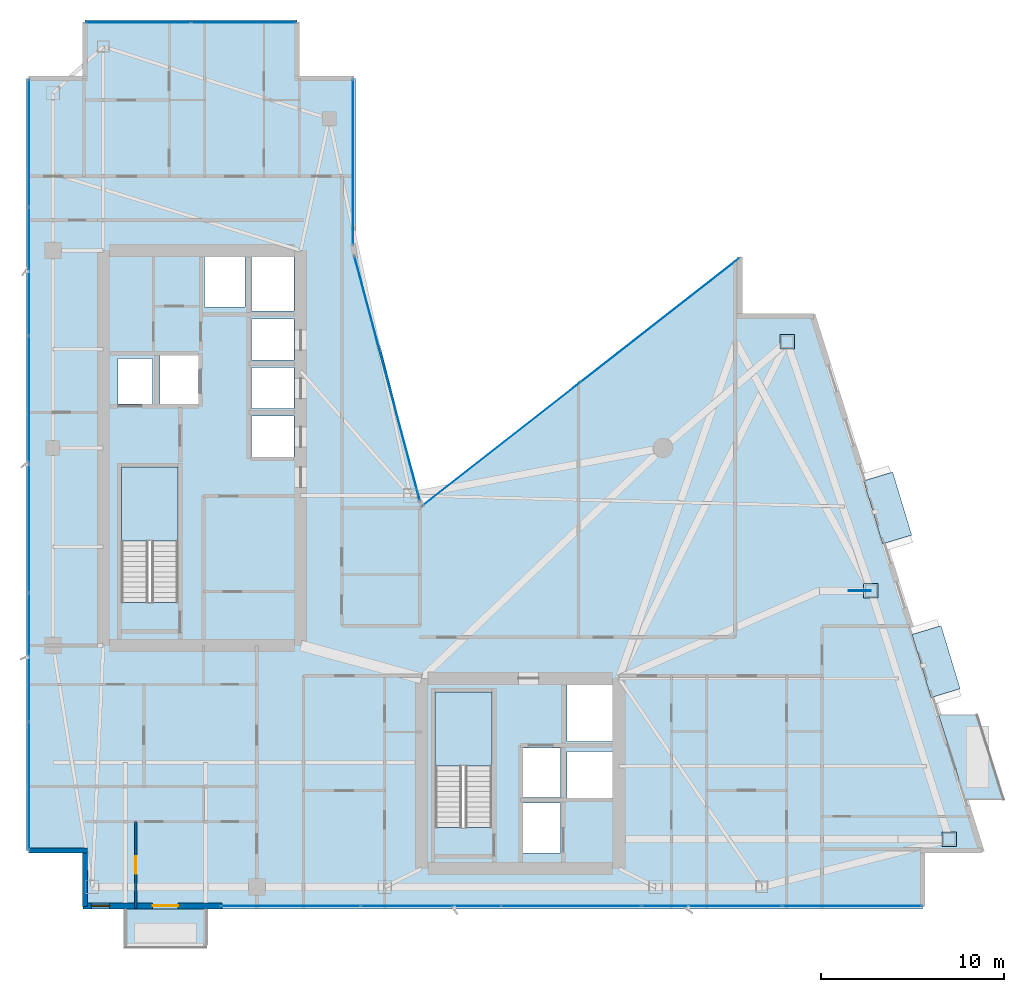
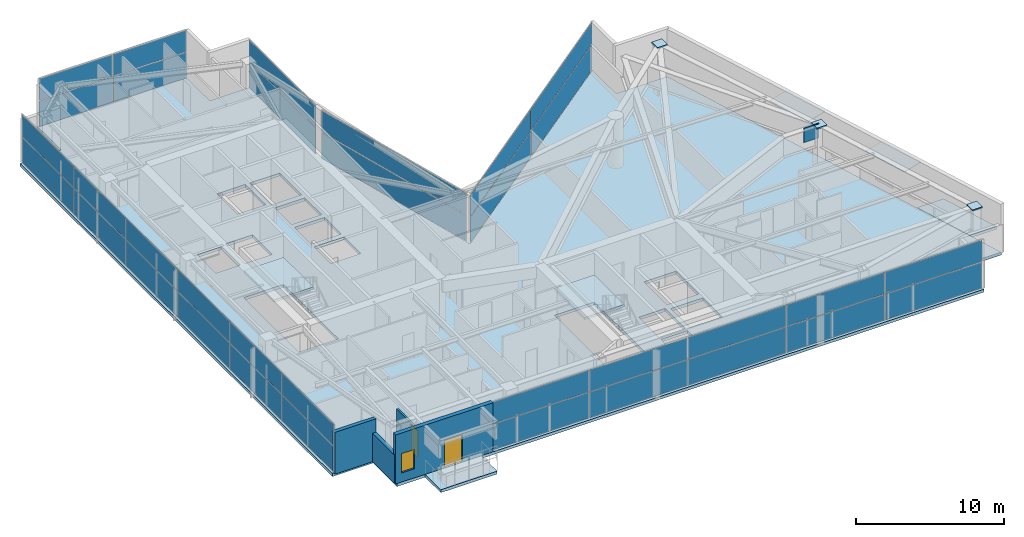
# One storey, part 22 of 29: 40 plates, 5 slabs, 4 walls, 2 doors, 1 window, 3 openings, 8 elements without a shape of their own.
"""IFC4 building model written with IfcOpenShell, lengths in metres."""

from ifc_helpers import new_model, si_unit, direction, frame, frame_2d, origin, origin_2d, place, context, subcontext, project, spatial, polyline, rectangle, outline, extrude, material, layer, layer_set, type_object, element, fill, aggregate, save


model = new_model("IFC4")

# Units and contexts
model_context = context("Model", 3, precision=1e-05, world=origin(), true_north=direction((0.0, 1.0)))
body_context = subcontext(model_context, "Body", "Model", "MODEL_VIEW")
ifc_project = project(units=[si_unit("LENGTHUNIT", "METRE"), si_unit("AREAUNIT", "SQUARE_METRE"), si_unit("VOLUMEUNIT", "CUBIC_METRE"), si_unit("PLANEANGLEUNIT", "RADIAN"), si_unit("MASSUNIT", "GRAM", prefix="KILO")], contexts=[model_context])

# Site, building, storey
site_placement = place(None, origin())
site = spatial("IfcSite", under=ifc_project, at=site_placement, CompositionType="ELEMENT")
building_placement = place(site_placement, origin())
building = spatial("IfcBuilding", under=site, at=building_placement, Name="Calvorn Quay Hotel", CompositionType="ELEMENT")
storey_placement = place(building_placement, frame((0.0, 0.0, 214.800048828125)))
storey = spatial("IfcBuildingStorey", under=building, at=storey_placement, Name="L53", CompositionType="ELEMENT", Elevation=214.800048828125)

# Curtain wall, plates
ifc_material_1 = material(Name="Champagne Bronze Anodised Aluminium and Low-E Glass", Category="aluminium")
ifc_layer_1 = layer(ifc_material_1, 0.219970703125)
ifc_layer_set_1 = layer_set([ifc_layer_1], Name="CW-SYS-Z3")
curtain_wall_type = type_object("IfcCurtainWallType", Name="CW-SYS-Z3", PredefinedType="NOTDEFINED", material=ifc_layer_set_1)
curtain_wall_1_placement = place(storey_placement, origin())
curtain_wall_1 = element("IfcCurtainWall", 1, at=curtain_wall_1_placement, inside=storey, type_object=curtain_wall_type, Name="Tower West Curtain Wall (L53)", PredefinedType="NOTDEFINED")
ifc_material_2 = material(Name="Low-E Laminated Double Glazing", Category="glass")
ifc_layer_2 = layer(ifc_material_2, 0.028076171875)
ifc_layer_set_2 = layer_set([ifc_layer_2], Name="CW-SYS-Z3-PAN")
plate_type_1 = type_object("IfcPlateType", Name="CW-SYS-Z3-PAN", PredefinedType="CURTAIN_PANEL", material=ifc_layer_set_2)
plate_1_placement = place(storey_placement, frame((0.14990234375, 9.131591796875, 0.06005859375), z_axis=(0.0, 0.0, 1.0), x_axis=(0.0, 1.0, 0.0)))
plate_1 = element("IfcPlate", 2, at=plate_1_placement, type_object=plate_type_1, Name="CW-L53-W panel 1.1", PredefinedType="CURTAIN_PANEL", context=body_context, shape_type="SweptSolid", body=[
    extrude(rectangle(XDim=6.943359375, YDim=0.028076171875, at=origin_2d()), origin(), (0.0, 0.0, 1.0), 2.110107421875),
])
plate_2_placement = place(storey_placement, frame((0.14990234375, 9.131591796875, 2.22998046875), z_axis=(0.0, 0.0, 1.0), x_axis=(0.0, 1.0, 0.0)))
plate_2 = element("IfcPlate", 3, at=plate_2_placement, type_object=plate_type_1, Name="CW-L53-W panel 1.2", PredefinedType="CURTAIN_PANEL", context=body_context, shape_type="SweptSolid", body=[
    extrude(rectangle(XDim=6.943359375, YDim=0.028076171875, at=origin_2d()), origin(), (0.0, 0.0, 1.0), 1.760009765625),
])
plate_3_placement = place(storey_placement, frame((0.14990234375, 16.14990234375, 0.06005859375), z_axis=(0.0, 0.0, 1.0), x_axis=(0.0, 1.0, 0.0)))
plate_3 = element("IfcPlate", 4, at=plate_3_placement, type_object=plate_type_1, Name="CW-L53-W panel 2.1", PredefinedType="CURTAIN_PANEL", context=body_context, shape_type="SweptSolid", body=[
    extrude(rectangle(XDim=6.973388671875, YDim=0.028076171875, at=origin_2d()), origin(), (0.0, 0.0, 1.0), 2.110107421875),
])
plate_4_placement = place(storey_placement, frame((0.14990234375, 16.14990234375, 2.22998046875), z_axis=(0.0, 0.0, 1.0), x_axis=(0.0, 1.0, 0.0)))
plate_4 = element("IfcPlate", 5, at=plate_4_placement, type_object=plate_type_1, Name="CW-L53-W panel 2.2", PredefinedType="CURTAIN_PANEL", context=body_context, shape_type="SweptSolid", body=[
    extrude(rectangle(XDim=6.973388671875, YDim=0.028076171875, at=origin_2d()), origin(), (0.0, 0.0, 1.0), 1.760009765625),
])
plate_5_placement = place(storey_placement, frame((0.14990234375, 23.183349609375, 0.06005859375), z_axis=(0.0, 0.0, 1.0), x_axis=(0.0, 1.0, 0.0)))
plate_5 = element("IfcPlate", 6, at=plate_5_placement, type_object=plate_type_1, Name="CW-L53-W panel 3.1", PredefinedType="CURTAIN_PANEL", context=body_context, shape_type="SweptSolid", body=[
    extrude(rectangle(XDim=6.973388671875, YDim=0.028076171875, at=origin_2d()), origin(), (0.0, 0.0, 1.0), 2.110107421875),
])
plate_6_placement = place(storey_placement, frame((0.14990234375, 23.183349609375, 2.22998046875), z_axis=(0.0, 0.0, 1.0), x_axis=(0.0, 1.0, 0.0)))
plate_6 = element("IfcPlate", 7, at=plate_6_placement, type_object=plate_type_1, Name="CW-L53-W panel 3.2", PredefinedType="CURTAIN_PANEL", context=body_context, shape_type="SweptSolid", body=[
    extrude(rectangle(XDim=6.973388671875, YDim=0.028076171875, at=origin_2d()), origin(), (0.0, 0.0, 1.0), 1.760009765625),
])
plate_7_placement = place(storey_placement, frame((0.14990234375, 30.216552734375, 0.06005859375), z_axis=(0.0, 0.0, 1.0), x_axis=(0.0, 1.0, 0.0)))
plate_7 = element("IfcPlate", 8, at=plate_7_placement, type_object=plate_type_1, Name="CW-L53-W panel 4.1", PredefinedType="CURTAIN_PANEL", context=body_context, shape_type="SweptSolid", body=[
    extrude(rectangle(XDim=6.973388671875, YDim=0.028076171875, at=origin_2d()), origin(), (0.0, 0.0, 1.0), 2.110107421875),
])
plate_8_placement = place(storey_placement, frame((0.14990234375, 30.216552734375, 2.22998046875), z_axis=(0.0, 0.0, 1.0), x_axis=(0.0, 1.0, 0.0)))
plate_8 = element("IfcPlate", 9, at=plate_8_placement, type_object=plate_type_1, Name="CW-L53-W panel 4.2", PredefinedType="CURTAIN_PANEL", context=body_context, shape_type="SweptSolid", body=[
    extrude(rectangle(XDim=6.973388671875, YDim=0.028076171875, at=origin_2d()), origin(), (0.0, 0.0, 1.0), 1.760009765625),
])
plate_9_placement = place(storey_placement, frame((0.14990234375, 37.25, 0.06005859375), z_axis=(0.0, 0.0, 1.0), x_axis=(0.0, 1.0, 0.0)))
plate_9 = element("IfcPlate", 10, at=plate_9_placement, type_object=plate_type_1, Name="CW-L53-W panel 5.1", PredefinedType="CURTAIN_PANEL", context=body_context, shape_type="SweptSolid", body=[
    extrude(rectangle(XDim=6.973388671875, YDim=0.028076171875, at=origin_2d()), origin(), (0.0, 0.0, 1.0), 2.110107421875),
])
plate_10_placement = place(storey_placement, frame((0.14990234375, 37.25, 2.22998046875), z_axis=(0.0, 0.0, 1.0), x_axis=(0.0, 1.0, 0.0)))
plate_10 = element("IfcPlate", 11, at=plate_10_placement, type_object=plate_type_1, Name="CW-L53-W panel 5.2", PredefinedType="CURTAIN_PANEL", context=body_context, shape_type="SweptSolid", body=[
    extrude(rectangle(XDim=6.973388671875, YDim=0.028076171875, at=origin_2d()), origin(), (0.0, 0.0, 1.0), 1.760009765625),
])
plate_11_placement = place(storey_placement, frame((0.14990234375, 44.268310546875, 0.06005859375), z_axis=(0.0, 0.0, 1.0), x_axis=(0.0, 1.0, 0.0)))
plate_11 = element("IfcPlate", 12, at=plate_11_placement, type_object=plate_type_1, Name="CW-L53-W panel 6.1", PredefinedType="CURTAIN_PANEL", context=body_context, shape_type="SweptSolid", body=[
    extrude(rectangle(XDim=6.943359375, YDim=0.028076171875, at=origin_2d()), origin(), (0.0, 0.0, 1.0), 2.110107421875),
])
plate_12_placement = place(storey_placement, frame((0.14990234375, 44.268310546875, 2.22998046875), z_axis=(0.0, 0.0, 1.0), x_axis=(0.0, 1.0, 0.0)))
plate_12 = element("IfcPlate", 13, at=plate_12_placement, type_object=plate_type_1, Name="CW-L53-W panel 6.2", PredefinedType="CURTAIN_PANEL", context=body_context, shape_type="SweptSolid", body=[
    extrude(rectangle(XDim=6.943359375, YDim=0.028076171875, at=origin_2d()), origin(), (0.0, 0.0, 1.0), 1.760009765625),
])
aggregate(curtain_wall_1, [plate_1, plate_2, plate_3, plate_4, plate_5, plate_6, plate_7, plate_8, plate_9, plate_10, plate_11, plate_12])

curtain_wall_2_placement = place(storey_placement, origin())
curtain_wall_2 = element("IfcCurtainWall", 14, at=curtain_wall_2_placement, inside=storey, type_object=curtain_wall_type, Name="Tower South Waterfront Curtain Wall (L53)", PredefinedType="NOTDEFINED")
plate_13_placement = place(storey_placement, frame((14.455078125, 2.550048828125, 0.06005859375), z_axis=(0.0, 0.0, 1.0), x_axis=(1.0, 0.0, 0.0)))
plate_13 = element("IfcPlate", 15, at=plate_13_placement, type_object=plate_type_1, Name="CW-L53-S panel 1.1", PredefinedType="CURTAIN_PANEL", context=body_context, shape_type="SweptSolid", body=[
    extrude(rectangle(XDim=7.590087890625, YDim=0.028076171875, at=origin_2d()), origin(), (0.0, 0.0, 1.0), 2.110107421875),
])
plate_14_placement = place(storey_placement, frame((14.455078125, 2.550048828125, 2.22998046875), z_axis=(0.0, 0.0, 1.0), x_axis=(1.0, 0.0, 0.0)))
plate_14 = element("IfcPlate", 16, at=plate_14_placement, type_object=plate_type_1, Name="CW-L53-S panel 1.2", PredefinedType="CURTAIN_PANEL", context=body_context, shape_type="SweptSolid", body=[
    extrude(rectangle(XDim=7.590087890625, YDim=0.028076171875, at=origin_2d()), origin(), (0.0, 0.0, 1.0), 1.760009765625),
])
plate_15_placement = place(storey_placement, frame((22.1201171875, 2.550048828125, 0.06005859375), z_axis=(0.0, 0.0, 1.0), x_axis=(1.0, 0.0, 0.0)))
plate_15 = element("IfcPlate", 17, at=plate_15_placement, type_object=plate_type_1, Name="CW-L53-S panel 2.1", PredefinedType="CURTAIN_PANEL", context=body_context, shape_type="SweptSolid", body=[
    extrude(rectangle(XDim=7.6201171875, YDim=0.028076171875, at=origin_2d()), origin(), (0.0, 0.0, 1.0), 2.110107421875),
])
plate_16_placement = place(storey_placement, frame((22.1201171875, 2.550048828125, 2.22998046875), z_axis=(0.0, 0.0, 1.0), x_axis=(1.0, 0.0, 0.0)))
plate_16 = element("IfcPlate", 18, at=plate_16_placement, type_object=plate_type_1, Name="CW-L53-S panel 2.2", PredefinedType="CURTAIN_PANEL", context=body_context, shape_type="SweptSolid", body=[
    extrude(rectangle(XDim=7.6201171875, YDim=0.028076171875, at=origin_2d()), origin(), (0.0, 0.0, 1.0), 1.760009765625),
])
plate_17_placement = place(storey_placement, frame((29.800048828125, 2.550048828125, 0.06005859375), z_axis=(0.0, 0.0, 1.0), x_axis=(1.0, 0.0, 0.0)))
plate_17 = element("IfcPlate", 19, at=plate_17_placement, type_object=plate_type_1, Name="CW-L53-S panel 3.1", PredefinedType="CURTAIN_PANEL", context=body_context, shape_type="SweptSolid", body=[
    extrude(rectangle(XDim=7.6201171875, YDim=0.028076171875, at=origin_2d()), origin(), (0.0, 0.0, 1.0), 2.110107421875),
])
plate_18_placement = place(storey_placement, frame((29.800048828125, 2.550048828125, 2.22998046875), z_axis=(0.0, 0.0, 1.0), x_axis=(1.0, 0.0, 0.0)))
plate_18 = element("IfcPlate", 20, at=plate_18_placement, type_object=plate_type_1, Name="CW-L53-S panel 3.2", PredefinedType="CURTAIN_PANEL", context=body_context, shape_type="SweptSolid", body=[
    extrude(rectangle(XDim=7.6201171875, YDim=0.028076171875, at=origin_2d()), origin(), (0.0, 0.0, 1.0), 1.760009765625),
])
plate_19_placement = place(storey_placement, frame((37.47998046875, 2.550048828125, 0.06005859375), z_axis=(0.0, 0.0, 1.0), x_axis=(1.0, 0.0, 0.0)))
plate_19 = element("IfcPlate", 21, at=plate_19_placement, type_object=plate_type_1, Name="CW-L53-S panel 4.1", PredefinedType="CURTAIN_PANEL", context=body_context, shape_type="SweptSolid", body=[
    extrude(rectangle(XDim=7.6201171875, YDim=0.028076171875, at=origin_2d()), origin(), (0.0, 0.0, 1.0), 2.110107421875),
])
plate_20_placement = place(storey_placement, frame((37.47998046875, 2.550048828125, 2.22998046875), z_axis=(0.0, 0.0, 1.0), x_axis=(1.0, 0.0, 0.0)))
plate_20 = element("IfcPlate", 22, at=plate_20_placement, type_object=plate_type_1, Name="CW-L53-S panel 4.2", PredefinedType="CURTAIN_PANEL", context=body_context, shape_type="SweptSolid", body=[
    extrude(rectangle(XDim=7.6201171875, YDim=0.028076171875, at=origin_2d()), origin(), (0.0, 0.0, 1.0), 1.760009765625),
])
plate_21_placement = place(storey_placement, frame((45.14501953125, 2.550048828125, 0.06005859375), z_axis=(0.0, 0.0, 1.0), x_axis=(1.0, 0.0, 0.0)))
plate_21 = element("IfcPlate", 23, at=plate_21_placement, type_object=plate_type_1, Name="CW-L53-S panel 5.1", PredefinedType="CURTAIN_PANEL", context=body_context, shape_type="SweptSolid", body=[
    extrude(rectangle(XDim=7.590087890625, YDim=0.028076171875, at=origin_2d()), origin(), (0.0, 0.0, 1.0), 2.110107421875),
])
plate_22_placement = place(storey_placement, frame((45.14501953125, 2.550048828125, 2.22998046875), z_axis=(0.0, 0.0, 1.0), x_axis=(1.0, 0.0, 0.0)))
plate_22 = element("IfcPlate", 24, at=plate_22_placement, type_object=plate_type_1, Name="CW-L53-S panel 5.2", PredefinedType="CURTAIN_PANEL", context=body_context, shape_type="SweptSolid", body=[
    extrude(rectangle(XDim=7.590087890625, YDim=0.028076171875, at=origin_2d()), origin(), (0.0, 0.0, 1.0), 1.760009765625),
])
aggregate(curtain_wall_2, [plate_13, plate_14, plate_15, plate_16, plate_17, plate_18, plate_19, plate_20, plate_21, plate_22])

curtain_wall_3_placement = place(storey_placement, origin())
curtain_wall_3 = element("IfcCurtainWall", 25, at=curtain_wall_3_placement, inside=storey, type_object=curtain_wall_type, Name="Inner Court Curtain Wall L53-NE1", PredefinedType="NOTDEFINED")
plate_23_placement = place(storey_placement, frame((34.63818359375, 34.5908203125, 0.06005859375), z_axis=(0.0, 0.0, 1.0), x_axis=(-0.787887056174, -0.615819768044, 0.0)))
plate_23 = element("IfcPlate", 26, at=plate_23_placement, type_object=plate_type_1, Name="CW-L53-NE1 panel 1.1", PredefinedType="CURTAIN_PANEL", context=body_context, shape_type="SweptSolid", body=[
    extrude(rectangle(XDim=10.9521484375, YDim=0.028076171875, at=origin_2d()), origin(), (0.0, 0.0, 1.0), 2.110107421875),
])
plate_24_placement = place(storey_placement, frame((34.63818359375, 34.5908203125, 2.22998046875), z_axis=(0.0, 0.0, 1.0), x_axis=(-0.787887056174, -0.615819768044, 0.0)))
plate_24 = element("IfcPlate", 27, at=plate_24_placement, type_object=plate_type_1, Name="CW-L53-NE1 panel 1.2", PredefinedType="CURTAIN_PANEL", context=body_context, shape_type="SweptSolid", body=[
    extrude(rectangle(XDim=10.9521484375, YDim=0.028076171875, at=origin_2d()), origin(), (0.0, 0.0, 1.0), 1.760009765625),
])
plate_25_placement = place(storey_placement, frame((25.9619140625, 27.809326171875, 0.06005859375), z_axis=(0.0, 0.0, 1.0), x_axis=(-0.787887056174, -0.615819768044, 0.0)))
plate_25 = element("IfcPlate", 28, at=plate_25_placement, type_object=plate_type_1, Name="CW-L53-NE1 panel 2.1", PredefinedType="CURTAIN_PANEL", context=body_context, shape_type="SweptSolid", body=[
    extrude(rectangle(XDim=10.9521484375, YDim=0.028076171875, at=origin_2d()), origin(), (0.0, 0.0, 1.0), 2.110107421875),
])
plate_26_placement = place(storey_placement, frame((25.9619140625, 27.809326171875, 2.22998046875), z_axis=(0.0, 0.0, 1.0), x_axis=(-0.787887056174, -0.615819768044, 0.0)))
plate_26 = element("IfcPlate", 29, at=plate_26_placement, type_object=plate_type_1, Name="CW-L53-NE1 panel 2.2", PredefinedType="CURTAIN_PANEL", context=body_context, shape_type="SweptSolid", body=[
    extrude(rectangle(XDim=10.9521484375, YDim=0.028076171875, at=origin_2d()), origin(), (0.0, 0.0, 1.0), 1.760009765625),
])
aggregate(curtain_wall_3, [plate_23, plate_24, plate_25, plate_26])

curtain_wall_4_placement = place(storey_placement, origin())
curtain_wall_4 = element("IfcCurtainWall", 30, at=curtain_wall_4_placement, inside=storey, type_object=curtain_wall_type, Name="Inner Court Curtain Wall L53-IC1", PredefinedType="NOTDEFINED")
plate_27_placement = place(storey_placement, frame((19.72509765625, 31.39990234375, 0.06005859375), z_axis=(0.0, 0.0, 1.0), x_axis=(-0.25877913024, 0.96593652056, 0.0)))
plate_27 = element("IfcPlate", 31, at=plate_27_placement, type_object=plate_type_1, Name="CW-L53-IC1 panel 1.1", PredefinedType="CURTAIN_PANEL", context=body_context, shape_type="SweptSolid", body=[
    extrude(rectangle(XDim=13.814697265625, YDim=0.028076171875, at=origin_2d()), origin(), (0.0, 0.0, 1.0), 2.110107421875),
])
plate_28_placement = place(storey_placement, frame((19.72509765625, 31.39990234375, 2.22998046875), z_axis=(0.0, 0.0, 1.0), x_axis=(-0.25877913024, 0.96593652056, 0.0)))
plate_28 = element("IfcPlate", 32, at=plate_28_placement, type_object=plate_type_1, Name="CW-L53-IC1 panel 1.2", PredefinedType="CURTAIN_PANEL", context=body_context, shape_type="SweptSolid", body=[
    extrude(rectangle(XDim=13.814697265625, YDim=0.028076171875, at=origin_2d()), origin(), (0.0, 0.0, 1.0), 1.760009765625),
])
aggregate(curtain_wall_4, [plate_27, plate_28])

curtain_wall_5_placement = place(storey_placement, origin())
curtain_wall_5 = element("IfcCurtainWall", 33, at=curtain_wall_5_placement, inside=storey, type_object=curtain_wall_type, Name="Inner Court Curtain Wall L53-IC2", PredefinedType="NOTDEFINED")
plate_29_placement = place(storey_placement, frame((17.85009765625, 43.239990234375, 0.06005859375), z_axis=(0.0, 0.0, 1.0), x_axis=(0.0, 1.0, 0.0)))
plate_29 = element("IfcPlate", 34, at=plate_29_placement, type_object=plate_type_1, Name="CW-L53-IC2 panel 1.1", PredefinedType="CURTAIN_PANEL", context=body_context, shape_type="SweptSolid", body=[
    extrude(rectangle(XDim=9.0, YDim=0.028076171875, at=origin_2d()), origin(), (0.0, 0.0, 1.0), 2.110107421875),
])
plate_30_placement = place(storey_placement, frame((17.85009765625, 43.239990234375, 2.22998046875), z_axis=(0.0, 0.0, 1.0), x_axis=(0.0, 1.0, 0.0)))
plate_30 = element("IfcPlate", 35, at=plate_30_placement, type_object=plate_type_1, Name="CW-L53-IC2 panel 1.2", PredefinedType="CURTAIN_PANEL", context=body_context, shape_type="SweptSolid", body=[
    extrude(rectangle(XDim=9.0, YDim=0.028076171875, at=origin_2d()), origin(), (0.0, 0.0, 1.0), 1.760009765625),
])
aggregate(curtain_wall_5, [plate_29, plate_30])

curtain_wall_6_placement = place(storey_placement, origin())
curtain_wall_6 = element("IfcCurtainWall", 36, at=curtain_wall_6_placement, inside=storey, type_object=curtain_wall_type, Name="Inner Court Curtain Wall L53-N1", PredefinedType="NOTDEFINED")
plate_31_placement = place(storey_placement, frame((11.885009765625, 50.85009765625, 0.06005859375), z_axis=(0.0, 0.0, 1.0), x_axis=(-1.0, 0.0, 0.0)))
plate_31 = element("IfcPlate", 37, at=plate_31_placement, type_object=plate_type_1, Name="CW-L53-N1 panel 1.1", PredefinedType="CURTAIN_PANEL", context=body_context, shape_type="SweptSolid", body=[
    extrude(rectangle(XDim=5.7099609375, YDim=0.028076171875, at=origin_2d()), origin(), (0.0, 0.0, 1.0), 2.110107421875),
])
plate_32_placement = place(storey_placement, frame((11.885009765625, 50.85009765625, 2.22998046875), z_axis=(0.0, 0.0, 1.0), x_axis=(-1.0, 0.0, 0.0)))
plate_32 = element("IfcPlate", 38, at=plate_32_placement, type_object=plate_type_1, Name="CW-L53-N1 panel 1.2", PredefinedType="CURTAIN_PANEL", context=body_context, shape_type="SweptSolid", body=[
    extrude(rectangle(XDim=5.7099609375, YDim=0.028076171875, at=origin_2d()), origin(), (0.0, 0.0, 1.0), 1.760009765625),
])
plate_33_placement = place(storey_placement, frame((6.114990234375, 50.85009765625, 0.06005859375), z_axis=(0.0, 0.0, 1.0), x_axis=(-1.0, 0.0, 0.0)))
plate_33 = element("IfcPlate", 39, at=plate_33_placement, type_object=plate_type_1, Name="CW-L53-N1 panel 2.1", PredefinedType="CURTAIN_PANEL", context=body_context, shape_type="SweptSolid", body=[
    extrude(rectangle(XDim=5.7099609375, YDim=0.028076171875, at=origin_2d()), origin(), (0.0, 0.0, 1.0), 2.110107421875),
])
plate_34_placement = place(storey_placement, frame((6.114990234375, 50.85009765625, 2.22998046875), z_axis=(0.0, 0.0, 1.0), x_axis=(-1.0, 0.0, 0.0)))
plate_34 = element("IfcPlate", 40, at=plate_34_placement, type_object=plate_type_1, Name="CW-L53-N1 panel 2.2", PredefinedType="CURTAIN_PANEL", context=body_context, shape_type="SweptSolid", body=[
    extrude(rectangle(XDim=5.7099609375, YDim=0.028076171875, at=origin_2d()), origin(), (0.0, 0.0, 1.0), 1.760009765625),
])
aggregate(curtain_wall_6, [plate_31, plate_32, plate_33, plate_34])

# Plates
ifc_material_3 = material(Name="Steel Q420GJC", Category="steel")
ifc_layer_3 = layer(ifc_material_3, 0.050048828125)
ifc_layer_set_3 = layer_set([ifc_layer_3], Name="PLT-GUSSET-50")
plate_type_2 = type_object("IfcPlateType", Name="PLT-GUSSET-50", PredefinedType="SHEET", material=ifc_layer_set_3)
plate_35_placement = place(storey_placement, frame((45.575927734375, 19.800048828125, 2.9501953125), z_axis=(0.0, 0.0, 1.0), x_axis=(1.0, 0.0, 0.0)))
element("IfcPlate", 41, at=plate_35_placement, inside=storey, type_object=plate_type_2, Name="Transfer Gusset Plate PG-L53-E1", PredefinedType="SHEET", context=body_context, shape_type="SweptSolid", body=[
    extrude(rectangle(XDim=1.199951171875, YDim=0.050048828125, at=origin_2d()), origin(), (0.0, 0.0, 1.0), 1.199951171875),
])
ifc_material_4 = material(Name="Tempered Laminated Low-E Glass", Category="glass")
ifc_layer_4 = layer(ifc_material_4, 0.0380859375)
ifc_layer_set_4 = layer_set([ifc_layer_4], Name="PLT-HOOD-GLAZ")
plate_type_3 = type_object("IfcPlateType", Name="PLT-HOOD-GLAZ", PredefinedType="SHEET", material=ifc_layer_set_4)
for number, where, z_axis, x_axis, name in (
    (42, (49.735107421875, 15.91796875, 2.466796875), (0.0, 0.0, 1.0), (0.957319497532, 0.289031796944, 0.0), "Angled Glass Bay Hood Panel L53-HOOD-2"),
    (43, (47.089111328125, 24.318115234375, 2.466796875), (0.0, 0.0, 1.0), (0.957319497532, 0.289031796944, 0.0), "Angled Glass Bay Hood Panel L53-HOOD-3"),
):
    element("IfcPlate", number, at=place(storey_placement, frame(where, z_axis=z_axis, x_axis=x_axis)), inside=storey, type_object=plate_type_3, Name=name, PredefinedType="SHEET", context=body_context, shape_type="SweptSolid", body=[
        extrude(rectangle(XDim=1.659912109375, YDim=3.60009765625, at=origin_2d()), origin(), (0.0, 0.0, 1.0), 0.0380859375),
    ])
ifc_material_5 = material(Name="Steel Q390GJC", Category="steel")
ifc_layer_5 = layer(ifc_material_5, 0.031982421875)
ifc_layer_set_5 = layer_set([ifc_layer_5], Name="PLT-SPLICE-32")
plate_type_4 = type_object("IfcPlateType", Name="PLT-SPLICE-32", PredefinedType="USERDEFINED", material=ifc_layer_set_5)
for number, where, z_axis, x_axis, name in (
    (44, (50.4609375, 6.199951171875, 3.989990234375), (0.0, 0.0, 1.0), (1.0, 0.0, 0.0), "Column Top Cap Plate C-ET1 (L53)"),
    (45, (46.176025390625, 19.800048828125, 3.989990234375), (0.0, 0.0, 1.0), (1.0, 0.0, 0.0), "Column Top Cap Plate C-ET2 (L53)"),
    (46, (41.591064453125, 33.39990234375, 3.989990234375), (0.0, 0.0, 1.0), (1.0, 0.0, 0.0), "Column Top Cap Plate C-ET3 (L53)"),
):
    element("IfcPlate", number, at=place(storey_placement, frame(where, z_axis=z_axis, x_axis=x_axis)), inside=storey, type_object=plate_type_4, Name=name, ObjectType="SPLICE_PLATE", PredefinedType="USERDEFINED", context=body_context, shape_type="SweptSolid", body=[
        extrude(rectangle(XDim=0.7900390625, YDim=0.7900390625, at=origin_2d()), origin(), (0.0, 0.0, 1.0), 0.10009765625),
    ])

# Slabs
ifc_material_6 = material(Name="Concrete C40", Category="concrete")
ifc_layer_6 = layer(ifc_material_6, 0.239990234375)
ifc_layer_set_6 = layer_set([ifc_layer_6], Name="SLB-BALCONY-220")
slab_type_1 = type_object("IfcSlabType", Name="SLB-BALCONY-220", PredefinedType="FLOOR", material=ifc_layer_set_6)
slab_1_placement = place(storey_placement, frame((0.0, 0.0, -0.239990234375)))
element("IfcSlab", 47, at=slab_1_placement, inside=storey, type_object=slab_type_1, Name="Tree Balcony Slab L53-BALC-E", PredefinedType="FLOOR", context=body_context, shape_type="SweptSolid", body=[
    extrude(outline(polyline([(51.327880859375, 8.39990234375), (53.427978515625, 8.39990234375), (51.97802734375, 13.0), (49.8779296875, 13.0), (51.327880859375, 8.39990234375)])), origin(), (0.0, 0.0, 1.0), 0.239990234375),
])
slab_2_placement = place(storey_placement, frame((0.0, 0.0, -0.239990234375)))
element("IfcSlab", 48, at=slab_2_placement, inside=storey, type_object=slab_type_1, Name="Tree Balcony Slab L53-BALC-S", PredefinedType="FLOOR", context=body_context, shape_type="SweptSolid", body=[
    extrude(outline(polyline([(5.39990234375, 0.2900390625), (9.800048828125, 0.2900390625), (9.800048828125, 2.389892578125), (5.39990234375, 2.389892578125), (5.39990234375, 0.2900390625)])), origin(), (0.0, 0.0, 1.0), 0.239990234375),
])

# Stair, slab
ifc_material_7 = material(Name="Concrete C40", Category="concrete")
stair_type = type_object("IfcStairType", Name="STR-CORE-DOGLEG", PredefinedType="HALF_TURN_STAIR", material=ifc_material_7)
stair_1_placement = place(storey_placement, origin())
stair_1 = element("IfcStair", 49, at=stair_1_placement, inside=storey, type_object=stair_type, Name="L53 ST-W", PredefinedType="HALF_TURN_STAIR")
ifc_material_8 = material(Name="Concrete C40", Category="concrete")
ifc_layer_7 = layer(ifc_material_8, 0.199951171875)
ifc_layer_set_7 = layer_set([ifc_layer_7], Name="SLB-STAIR-LANDING-200")
slab_type_2 = type_object("IfcSlabType", Name="SLB-STAIR-LANDING-200", PredefinedType="LANDING", material=ifc_layer_set_7)
slab_3_placement = place(storey_placement, frame((0.0, 0.0, 2.050048828125)))
slab_3 = element("IfcSlab", 50, at=slab_3_placement, type_object=slab_type_2, Name="ST-W landing 1", PredefinedType="LANDING", context=body_context, shape_type="SweptSolid", body=[
    extrude(outline(polyline([(8.300048828125, 22.510009765625), (8.300048828125, 26.550048828125), (5.199951171875, 26.550048828125), (5.199951171875, 22.510009765625), (8.300048828125, 22.510009765625)])), origin(), (0.0, 0.0, 1.0), 0.199951171875),
])
aggregate(stair_1, [slab_3])

stair_2_placement = place(storey_placement, origin())
stair_2 = element("IfcStair", 51, at=stair_2_placement, inside=storey, type_object=stair_type, Name="L53 ST-E", PredefinedType="HALF_TURN_STAIR")
slab_4_placement = place(storey_placement, frame((0.0, 0.0, 2.050048828125)))
slab_4 = element("IfcSlab", 52, at=slab_4_placement, type_object=slab_type_2, Name="ST-E landing 1", PredefinedType="LANDING", context=body_context, shape_type="SweptSolid", body=[
    extrude(outline(polyline([(25.449951171875, 10.2099609375), (25.449951171875, 14.25), (22.35009765625, 14.25), (22.35009765625, 10.2099609375), (25.449951171875, 10.2099609375)])), origin(), (0.0, 0.0, 1.0), 0.199951171875),
])
aggregate(stair_2, [slab_4])

# Slab
ifc_material_9 = material(Name="Concrete C40", Category="concrete")
ifc_layer_8 = layer(ifc_material_9, 0.239990234375)
ifc_layer_set_8 = layer_set([ifc_layer_8], Name="SLB-TOWER-240")
slab_type_3 = type_object("IfcSlabType", Name="SLB-TOWER-240", PredefinedType="FLOOR", material=ifc_layer_set_8)
slab_5_placement = place(storey_placement, frame((0.0, 0.0, -0.239990234375)))
element("IfcSlab", 53, at=slab_5_placement, inside=storey, type_object=slab_type_3, Name="L53 Structural Floor Slab", PredefinedType="FLOOR", context=body_context, shape_type="SweptSolid", body=[
    extrude(outline(polyline([(0.0, 5.60009765625), (3.199951171875, 5.60009765625), (3.199951171875, 2.39990234375), (49.0, 2.39990234375), (49.0, 5.60009765625), (52.199951171875, 5.60009765625), (43.0, 34.800048828125), (39.0, 34.800048828125), (39.0, 38.0), (21.60009765625, 24.39990234375), (18.0, 38.39990234375), (18.0, 47.800048828125), (14.800048828125, 47.800048828125), (14.800048828125, 51.0), (3.199951171875, 51.0), (3.199951171875, 47.800048828125), (0.0, 47.800048828125), (0.0, 5.60009765625)]), holes=[polyline([(5.199951171875, 19.156005859375), (8.300048828125, 19.156005859375), (8.300048828125, 26.550048828125), (5.199951171875, 26.550048828125), (5.199951171875, 19.156005859375)]), polyline([(22.35009765625, 6.85595703125), (25.449951171875, 6.85595703125), (25.449951171875, 14.25), (22.35009765625, 14.25), (22.35009765625, 6.85595703125)]), polyline([(5.0, 30.0), (6.89990234375, 30.0), (6.89990234375, 32.5), (5.0, 32.5), (5.0, 30.0)]), polyline([(7.300048828125, 30.0), (9.39990234375, 30.0), (9.39990234375, 32.64990234375), (7.300048828125, 32.64990234375), (7.300048828125, 30.0)]), polyline([(27.159912109375, 8.5), (29.2099609375, 8.5), (29.2099609375, 11.199951171875), (27.159912109375, 11.199951171875), (27.159912109375, 8.5)]), polyline([(27.159912109375, 5.449951171875), (29.2099609375, 5.449951171875), (29.2099609375, 8.199951171875), (27.159912109375, 8.199951171875), (27.159912109375, 5.449951171875)]), polyline([(12.300048828125, 27.10009765625), (14.639892578125, 27.10009765625), (14.639892578125, 29.35009765625), (12.300048828125, 29.35009765625), (12.300048828125, 27.10009765625)]), polyline([(12.300048828125, 29.75), (14.639892578125, 29.75), (14.639892578125, 32.0), (12.300048828125, 32.0), (12.300048828125, 29.75)]), polyline([(12.300048828125, 32.39990234375), (14.639892578125, 32.39990234375), (14.639892578125, 34.64990234375), (12.300048828125, 34.64990234375), (12.300048828125, 32.39990234375)]), polyline([(12.300048828125, 35.10009765625), (14.639892578125, 35.10009765625), (14.639892578125, 38.0400390625), (12.300048828125, 38.0400390625), (12.300048828125, 35.10009765625)]), polyline([(9.75, 35.300048828125), (11.949951171875, 35.300048828125), (11.949951171875, 38.0400390625), (9.75, 38.0400390625), (9.75, 35.300048828125)]), polyline([(29.550048828125, 11.550048828125), (32.0400390625, 11.550048828125), (32.0400390625, 14.639892578125), (29.550048828125, 14.639892578125), (29.550048828125, 11.550048828125)]), polyline([(29.550048828125, 8.449951171875), (32.0400390625, 8.449951171875), (32.0400390625, 11.0), (29.550048828125, 11.0), (29.550048828125, 8.449951171875)])]), origin(), (0.0, 0.0, 1.0), 0.239990234375),
])

# Wall, openings, door, window
ifc_material_10 = material(Name="Concrete C40", Category="concrete")
ifc_layer_9 = layer(ifc_material_10, 0.320068359375)
ifc_layer_set_9 = layer_set([ifc_layer_9], Name="WL-EXT-SPANDREL-320")
wall_type_1 = type_object("IfcWallType", Name="WL-EXT-SPANDREL-320", PredefinedType="SOLIDWALL", material=ifc_layer_set_9)
wall_1_placement = place(storey_placement, frame((3.10009765625, 2.56005859375, 0.0), z_axis=(0.0, 0.0, 1.0), x_axis=(1.0, 0.0, 0.0)))
wall_1 = element("IfcWall", 54, at=wall_1_placement, inside=storey, type_object=wall_type_1, Name="South Balcony Exterior Wall (L53)", PredefinedType="SOLIDWALL", context=body_context, shape_type="SweptSolid", body=[
    extrude(rectangle(XDim=7.599853515625, YDim=0.320068359375, at=frame_2d((3.7998046875, 0.0))), origin(), (0.0, 0.0, 1.0), 4.050048828125),
])
opening_1_placement = place(wall_1_placement, frame((0.449951171875, 0.0, 0.75)))
opening_1 = element("IfcOpeningElement", 55, at=opening_1_placement, cuts=wall_1, Name="Opening WSB-L53-1", PredefinedType="OPENING", context=body_context, shape_type="SweptSolid", body=[
    extrude(rectangle(XDim=1.0, YDim=1.60009765625, at=frame_2d((0.5, 0.800048828125))), frame((0.0, 0.169921875, 0.0), z_axis=(0.0, -1.0, 0.0), x_axis=(1.0, 0.0, 0.0)), (0.0, 0.0, 1.0), 0.340087890625),
])
opening_2_placement = place(wall_1_placement, frame((3.800048828125, 0.0, 0.0)))
opening_2 = element("IfcOpeningElement", 56, at=opening_2_placement, cuts=wall_1, Name="Opening DB-L53-2", PredefinedType="OPENING", context=body_context, shape_type="SweptSolid", body=[
    extrude(rectangle(XDim=1.39990234375, YDim=2.25, at=frame_2d((0.699951171875, 1.125))), frame((0.0, 0.169921875, 0.0), z_axis=(0.0, -1.0, 0.0), x_axis=(1.0, 0.0, 0.0)), (0.0, 0.0, 1.0), 0.340087890625),
])
ifc_material_11 = material(Name="Typhoon-Rated Low-E Aluminium Terrace Door", Category="aluminium")
door_type_1 = type_object("IfcDoorType", Name="DR-BALCONY-GLZ-1400", OperationType="NOTDEFINED", PredefinedType="DOOR", material=ifc_material_11)
door_1_placement = place(opening_2_placement, origin())
door_1 = element("IfcDoor", 57, at=door_1_placement, inside=storey, type_object=door_type_1, Name="Tree Balcony Terrace Door L53-BALC-S", OperationType="SINGLE_SWING_LEFT", OverallHeight=2.25, OverallWidth=1.39990234375, PredefinedType="DOOR", context=body_context, shape_type="SweptSolid", body=[
    extrude(rectangle(XDim=1.39990234375, YDim=2.25, at=frame_2d((0.699951171875, 1.125))), frame((0.0, 0.02490234375, 0.0), z_axis=(0.0, -1.0, 0.0), x_axis=(1.0, 0.0, 0.0)), (0.0, 0.0, 1.0), 0.050048828125),
])
fill(opening_2, door_1)
ifc_material_12 = material(Name="Self-Closing Class B Side Fire Window")
window_type = type_object("IfcWindowType", Name="WIN-REFUGE-NARROW-1000x1600", PartitioningType="SINGLE_PANEL", PredefinedType="WINDOW", material=ifc_material_12)
window_placement = place(opening_1_placement, origin())
window = element("IfcWindow", 58, at=window_placement, inside=storey, type_object=window_type, Name="South Waterfront Side Window (L53)", OverallHeight=1.60009765625, OverallWidth=1.0, PartitioningType="SINGLE_PANEL", PredefinedType="WINDOW", context=body_context, shape_type="SweptSolid", body=[
    extrude(rectangle(XDim=1.0, YDim=1.60009765625, at=frame_2d((0.5, 0.800048828125))), frame((0.0, 0.030029296875, 0.0), z_axis=(0.0, -1.0, 0.0), x_axis=(1.0, 0.0, 0.0)), (0.0, 0.0, 1.0), 0.06005859375),
])
fill(opening_1, window)

# Walls
wall_2_placement = place(storey_placement, frame((0.1201171875, 5.60009765625, 0.0), z_axis=(0.0, 0.0, 1.0), x_axis=(1.0, 0.0, 0.0)))
element("IfcWall", 59, at=wall_2_placement, inside=storey, type_object=wall_type_1, Name="Notched Corner Spandrel L53-SW1", PredefinedType="SOLIDWALL", context=body_context, shape_type="SweptSolid", body=[
    extrude(rectangle(XDim=3.219970703125, YDim=0.280029296875, at=frame_2d((1.60986328125, 0.0))), origin(), (0.0, 0.0, 1.0), 3.449951171875),
])
wall_3_placement = place(storey_placement, frame((3.199951171875, 5.4599609375, 0.0), z_axis=(0.0, 0.0, 1.0), x_axis=(0.0, -1.0, 0.0)))
element("IfcWall", 60, at=wall_3_placement, inside=storey, type_object=wall_type_1, Name="Notched Corner Spandrel L53-SW2", PredefinedType="SOLIDWALL", context=body_context, shape_type="SweptSolid", body=[
    extrude(rectangle(XDim=2.93994140625, YDim=0.280029296875, at=frame_2d((1.469970703125, 0.0))), origin(), (0.0, 0.0, 1.0), 2.349853515625),
])

# Wall, opening, door
ifc_material_13 = material(Name="Double-Stud Acoustic Gypsum Partition")
ifc_layer_10 = layer(ifc_material_13, 0.159912109375)
ifc_layer_set_10 = layer_set([ifc_layer_10], Name="WL-INTERSUITE-160")
wall_type_2 = type_object("IfcWallType", Name="WL-INTERSUITE-160", PredefinedType="PARTITIONING", material=ifc_layer_set_10)
wall_4_placement = place(storey_placement, frame((5.97998046875, 2.43994140625, 0.0), z_axis=(0.0, 0.0, 1.0), x_axis=(0.0, 1.0, 0.0)))
wall_4 = element("IfcWall", 61, at=wall_4_placement, inside=storey, type_object=wall_type_2, Name="Partition Wall L53-WL-U01-MSP", PredefinedType="PARTITIONING", context=body_context, shape_type="SweptSolid", body=[
    extrude(rectangle(XDim=4.72998046875, YDim=0.159912109375, at=frame_2d((2.364990234375, 0.0))), origin(), (0.0, 0.0, 1.0), 2.349853515625),
])
opening_3_placement = place(wall_4_placement, frame((1.889892578125, 0.0, 0.0)))
opening_3 = element("IfcOpeningElement", 62, at=opening_3_placement, cuts=wall_4, Name="Opening D-L53-M01", PredefinedType="OPENING", context=body_context, shape_type="SweptSolid", body=[
    extrude(rectangle(XDim=0.9599609375, YDim=2.199951171875, at=frame_2d((0.47998046875, 1.10009765625))), frame((0.0, 0.08984375, 0.0), z_axis=(0.0, -1.0, 0.0), x_axis=(1.0, 0.0, 0.0)), (0.0, 0.0, 1.0), 0.179931640625),
])
ifc_material_14 = material(Name="Solid Timber Internal Suite Door", Category="wood")
door_type_2 = type_object("IfcDoorType", Name="DR-SUITE-INT-960", OperationType="NOTDEFINED", PredefinedType="DOOR", material=ifc_material_14)
door_2_placement = place(opening_3_placement, origin())
door_2 = element("IfcDoor", 63, at=door_2_placement, inside=storey, type_object=door_type_2, Name="Suite Bedroom Door 01", OperationType="SINGLE_SWING_LEFT", OverallHeight=2.199951171875, OverallWidth=0.9599609375, PredefinedType="DOOR", context=body_context, shape_type="SweptSolid", body=[
    extrude(rectangle(XDim=0.9599609375, YDim=2.199951171875, at=frame_2d((0.47998046875, 1.10009765625))), frame((0.0, 0.02490234375, 0.0), z_axis=(0.0, -1.0, 0.0), x_axis=(1.0, 0.0, 0.0)), (0.0, 0.0, 1.0), 0.050048828125),
])
fill(opening_3, door_2)

save(model, "model.ifc")
